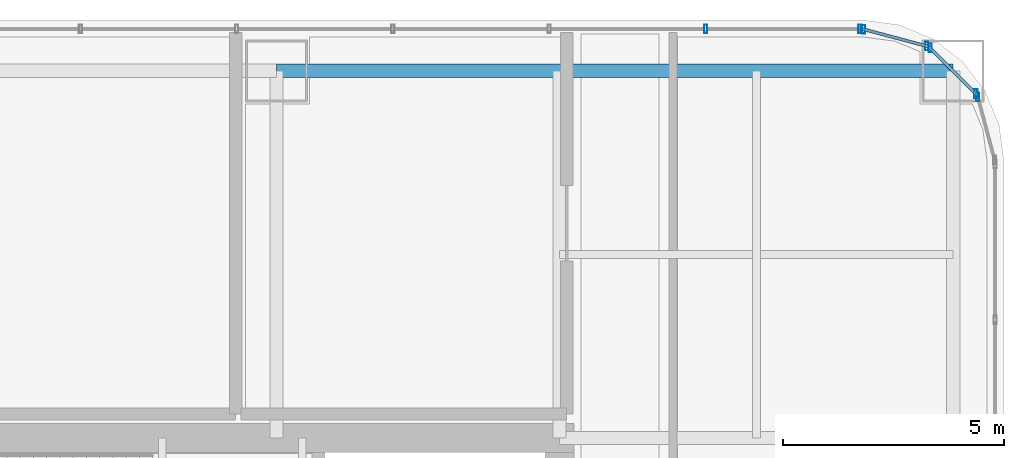
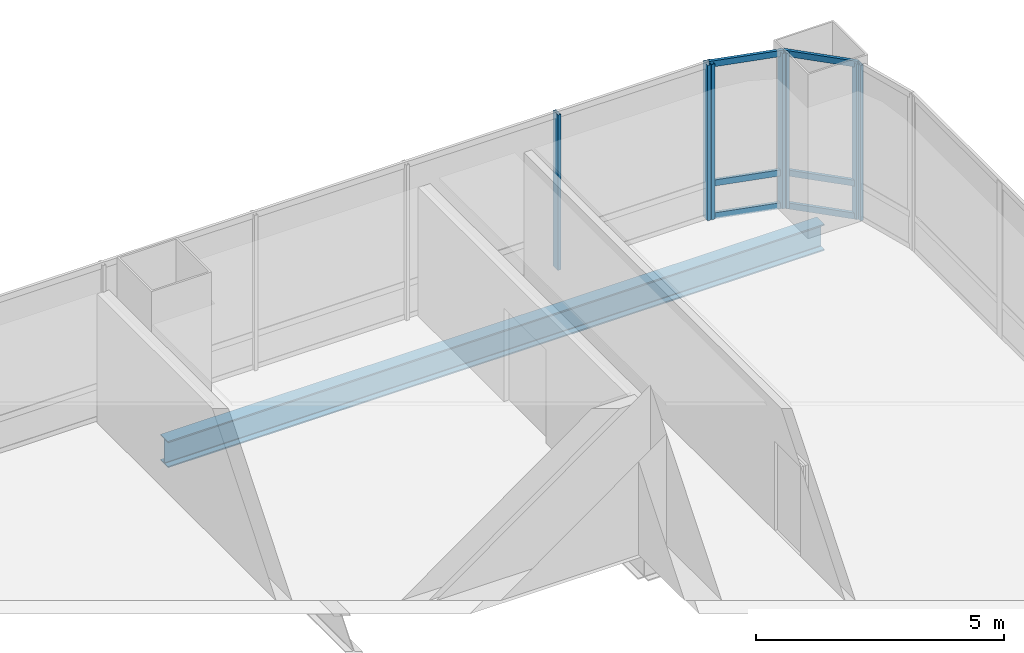
# One storey, part 26 of 36: 13 members, 1 beam, 4 elements without a shape of their own.
"""IFC4 building model written with IfcOpenShell, lengths in metres."""

from ifc_helpers import new_model, si_unit, direction, frame, origin, origin_2d, place, context, subcontext, project, spatial, hollow_rectangle, i_section, extrude, material, material_profile, profile_set, type_object, element, aggregate, save


model = new_model("IFC4")

# Units and contexts
model_context = context("Model", 3, precision=1e-05, world=origin(), true_north=direction((0.0, 1.0)))
body_context = subcontext(model_context, "Body", "Model", "MODEL_VIEW")
ifc_project = project(units=[si_unit("LENGTHUNIT", "METRE"), si_unit("AREAUNIT", "SQUARE_METRE"), si_unit("VOLUMEUNIT", "CUBIC_METRE"), si_unit("PLANEANGLEUNIT", "RADIAN"), si_unit("MASSUNIT", "GRAM", prefix="KILO")], contexts=[model_context])

# Site, building, storey
site_placement = place(None, origin())
site = spatial("IfcSite", under=ifc_project, at=site_placement, CompositionType="ELEMENT")
building_placement = place(site_placement, origin())
building = spatial("IfcBuilding", under=site, at=building_placement, Name="Punatoya Terracotta Tower", CompositionType="ELEMENT")
storey_placement = place(building_placement, frame((0.0, 0.0, 196.5)))
storey = spatial("IfcBuildingStorey", under=building, at=storey_placement, Name="L46", CompositionType="ELEMENT", Elevation=196.5)

# Beam
ifc_material_1 = material(Name="Steel S355", Category="steel")
ifc_material_profile_1 = material_profile(ifc_material_1, i_section(OverallWidth=0.300048828125, OverallDepth=0.64990234375, WebThickness=0.01611328125, FlangeThickness=0.031005859375, FilletRadius=0.01806640625, at=origin_2d()))
ifc_profile_set_1 = profile_set([ifc_material_profile_1], Name="Steel S355")
beam_type = type_object("IfcBeamType", Name="BM-PRI-650", PredefinedType="BEAM", material=ifc_profile_set_1)
beam_placement = place(storey_placement, frame((3.800048828125, 17.5, -0.544921875), z_axis=(1.0, 0.0, 0.0), x_axis=(0.0, 1.0, 0.0)))
element("IfcBeam", 1, at=beam_placement, inside=storey, type_object=beam_type, Name="BM-L46-RG-N3", PredefinedType="BEAM", context=body_context, shape_type="SweptSolid", body=[
    extrude(i_section(OverallWidth=0.300048828125, OverallDepth=0.64990234375, WebThickness=0.01611328125, FlangeThickness=0.031005859375, FilletRadius=0.01806640625, at=origin_2d()), origin(), (0.0, 0.0, 1.0), 15.300048828125),
])

# Curtain wall, member
ifc_material_2 = material(Name="Aluminium 6063-T6 + Double Low-E Glass", Category="aluminium")
curtain_wall_type = type_object("IfcCurtainWallType", Name="CW-M2", PredefinedType="NOTDEFINED", material=ifc_material_2)
curtain_wall_1_placement = place(storey_placement, origin())
curtain_wall_1 = element("IfcCurtainWall", 2, at=curtain_wall_1_placement, inside=storey, type_object=curtain_wall_type, Name="L46 Curtain Wall CW-L46-CRN06", PredefinedType="NOTDEFINED")
ifc_material_3 = material(Name="Aluminium 6063-T6", Category="aluminium")
ifc_material_profile_2 = material_profile(ifc_material_3, hollow_rectangle(XDim=0.072021484375, YDim=0.195068359375, WallThickness=0.00439453125, at=origin_2d()))
ifc_profile_set_2 = profile_set([ifc_material_profile_2], Name="Aluminium 6063-T6")
member_type_1 = type_object("IfcMemberType", Name="CW-MUL-M2", PredefinedType="MULLION", material=ifc_profile_set_2)
member_1_placement = place(storey_placement, frame((19.658203125, 16.905517578125, 0.0), z_axis=(0.0, 0.0, 1.0), x_axis=(1.0, 0.0, 0.0)))
member_1 = element("IfcMember", 3, at=member_1_placement, type_object=member_type_1, Name="CW-L46-CRN06 Mullion 01", PredefinedType="MULLION", context=body_context, shape_type="SweptSolid", body=[
    extrude(hollow_rectangle(XDim=0.072021484375, YDim=0.195068359375, WallThickness=0.00439453125, at=origin_2d()), origin(), (0.0, 0.0, 1.0), 3.830078125),
])
aggregate(curtain_wall_1, [member_1])

# Curtain wall, members
curtain_wall_2_placement = place(storey_placement, origin())
curtain_wall_2 = element("IfcCurtainWall", 4, at=curtain_wall_2_placement, inside=storey, type_object=curtain_wall_type, Name="L46 Curtain Wall CW-L46-CRN07", PredefinedType="NOTDEFINED")
member_2_placement = place(storey_placement, frame((19.61474609375, 16.98095703125, 0.0), z_axis=(0.0, 0.0, 1.0), x_axis=(1.0, 0.0, 0.0)))
member_2 = element("IfcMember", 5, at=member_2_placement, type_object=member_type_1, Name="CW-L46-CRN07 Mullion 00", PredefinedType="MULLION", context=body_context, shape_type="SweptSolid", body=[
    extrude(hollow_rectangle(XDim=0.072021484375, YDim=0.195068359375, WallThickness=0.00439453125, at=origin_2d()), origin(), (0.0, 0.0, 1.0), 3.830078125),
])
member_3_placement = place(storey_placement, frame((18.580810546875, 18.014892578125, 0.0), z_axis=(0.0, 0.0, 1.0), x_axis=(1.0, 0.0, 0.0)))
member_3 = element("IfcMember", 6, at=member_3_placement, type_object=member_type_1, Name="CW-L46-CRN07 Mullion 01", PredefinedType="MULLION", context=body_context, shape_type="SweptSolid", body=[
    extrude(hollow_rectangle(XDim=0.072021484375, YDim=0.195068359375, WallThickness=0.00439453125, at=origin_2d()), origin(), (0.0, 0.0, 1.0), 3.830078125),
])

curtain_wall_3_placement = place(storey_placement, origin())
curtain_wall_3 = element("IfcCurtainWall", 7, at=curtain_wall_3_placement, inside=storey, type_object=curtain_wall_type, Name="L46 Curtain Wall CW-L46-CRN08", PredefinedType="NOTDEFINED")
member_4_placement = place(storey_placement, frame((18.505615234375, 18.05810546875, 0.0), z_axis=(0.0, 0.0, 1.0), x_axis=(1.0, 0.0, 0.0)))
member_4 = element("IfcMember", 8, at=member_4_placement, type_object=member_type_1, Name="CW-L46-CRN08 Mullion 00", PredefinedType="MULLION", context=body_context, shape_type="SweptSolid", body=[
    extrude(hollow_rectangle(XDim=0.072021484375, YDim=0.195068359375, WallThickness=0.00439453125, at=origin_2d()), origin(), (0.0, 0.0, 1.0), 3.830078125),
])
member_5_placement = place(storey_placement, frame((17.080322265625, 18.4384765625, 0.0), z_axis=(0.0, 0.0, 1.0), x_axis=(1.0, 0.0, 0.0)))
member_5 = element("IfcMember", 9, at=member_5_placement, type_object=member_type_1, Name="CW-L46-CRN08 Mullion 01", PredefinedType="MULLION", context=body_context, shape_type="SweptSolid", body=[
    extrude(hollow_rectangle(XDim=0.072021484375, YDim=0.195068359375, WallThickness=0.00439453125, at=origin_2d()), origin(), (0.0, 0.0, 1.0), 3.830078125),
])

curtain_wall_4_placement = place(storey_placement, origin())
curtain_wall_4 = element("IfcCurtainWall", 10, at=curtain_wall_4_placement, inside=storey, type_object=curtain_wall_type, Name="L46 Curtain Wall CW-L46-N09-1", PredefinedType="NOTDEFINED")
member_6_placement = place(storey_placement, frame((16.991943359375, 18.449951171875, 0.0), z_axis=(0.0, 0.0, 1.0), x_axis=(1.0, 0.0, 0.0)))
member_6 = element("IfcMember", 11, at=member_6_placement, type_object=member_type_1, Name="CW-L46-N09-1 Mullion 00", PredefinedType="MULLION", context=body_context, shape_type="SweptSolid", body=[
    extrude(hollow_rectangle(XDim=0.072021484375, YDim=0.195068359375, WallThickness=0.00439453125, at=origin_2d()), origin(), (0.0, 0.0, 1.0), 3.830078125),
])
member_7_placement = place(storey_placement, frame((13.5029296875, 18.449951171875, 0.0), z_axis=(0.0, 0.0, 1.0), x_axis=(1.0, 0.0, 0.0)))
member_7 = element("IfcMember", 12, at=member_7_placement, type_object=member_type_1, Name="CW-L46-N09-1 Mullion 01", PredefinedType="MULLION", context=body_context, shape_type="SweptSolid", body=[
    extrude(hollow_rectangle(XDim=0.072021484375, YDim=0.195068359375, WallThickness=0.00439453125, at=origin_2d()), origin(), (0.0, 0.0, 1.0), 3.830078125),
])
aggregate(curtain_wall_4, [member_6, member_7])

# Member
ifc_material_profile_3 = material_profile(ifc_material_3, hollow_rectangle(XDim=0.068115234375, YDim=0.14990234375, WallThickness=0.00390625, at=origin_2d()))
ifc_profile_set_3 = profile_set([ifc_material_profile_3], Name="Aluminium 6063-T6")
member_type_2 = type_object("IfcMemberType", Name="CW-TRN-TYP", PredefinedType="USERDEFINED", material=ifc_profile_set_3)
member_8_placement = place(storey_placement, frame((19.646484375, 16.94921875, 0.0400390625), z_axis=(-0.707106781187, 0.707106781187, 0.0), x_axis=(-0.707106781187, -0.707106781187, 0.0)))
member_8 = element("IfcMember", 13, at=member_8_placement, type_object=member_type_2, Name="CW-L46-CRN07 Transom 1", ObjectType="TRANSOM", PredefinedType="USERDEFINED", context=body_context, shape_type="SweptSolid", body=[
    extrude(hollow_rectangle(XDim=0.068115234375, YDim=0.14990234375, WallThickness=0.00390625, at=origin_2d()), origin(), (0.0, 0.0, 1.0), 1.552001953125),
])

member_9_placement = place(storey_placement, frame((19.646484375, 16.94921875, 0.85009765625), z_axis=(-0.707106781187, 0.707106781187, 0.0), x_axis=(-0.707106781187, -0.707106781187, 0.0)))
member_9 = element("IfcMember", 14, at=member_9_placement, type_object=member_type_2, Name="CW-L46-CRN07 Transom 2", ObjectType="TRANSOM", PredefinedType="USERDEFINED", context=body_context, shape_type="SweptSolid", body=[
    extrude(hollow_rectangle(XDim=0.068115234375, YDim=0.14990234375, WallThickness=0.00390625, at=origin_2d()), origin(), (0.0, 0.0, 1.0), 1.552001953125),
])

member_10_placement = place(storey_placement, frame((19.646484375, 16.94921875, 3.7900390625), z_axis=(-0.707106781187, 0.707106781187, 0.0), x_axis=(-0.707106781187, -0.707106781187, 0.0)))
member_10 = element("IfcMember", 15, at=member_10_placement, type_object=member_type_2, Name="CW-L46-CRN07 Transom 3", ObjectType="TRANSOM", PredefinedType="USERDEFINED", context=body_context, shape_type="SweptSolid", body=[
    extrude(hollow_rectangle(XDim=0.068115234375, YDim=0.14990234375, WallThickness=0.00390625, at=origin_2d()), origin(), (0.0, 0.0, 1.0), 1.552001953125),
])

aggregate(curtain_wall_2, [member_2, member_3, member_8, member_9, member_10])

member_11_placement = place(storey_placement, frame((18.549072265625, 18.046630859375, 0.0400390625), z_axis=(-0.966224582397, 0.257701486942, 0.0), x_axis=(-0.257701486942, -0.966224582397, 0.0)))
member_11 = element("IfcMember", 16, at=member_11_placement, type_object=member_type_2, Name="CW-L46-CRN08 Transom 1", ObjectType="TRANSOM", PredefinedType="USERDEFINED", context=body_context, shape_type="SweptSolid", body=[
    extrude(hollow_rectangle(XDim=0.068115234375, YDim=0.14990234375, WallThickness=0.00390625, at=origin_2d()), origin(), (0.0, 0.0, 1.0), 1.565185546875),
])

member_12_placement = place(storey_placement, frame((18.549072265625, 18.046630859375, 0.85009765625), z_axis=(-0.966224582397, 0.257701486942, 0.0), x_axis=(-0.257701486942, -0.966224582397, 0.0)))
member_12 = element("IfcMember", 17, at=member_12_placement, type_object=member_type_2, Name="CW-L46-CRN08 Transom 2", ObjectType="TRANSOM", PredefinedType="USERDEFINED", context=body_context, shape_type="SweptSolid", body=[
    extrude(hollow_rectangle(XDim=0.068115234375, YDim=0.14990234375, WallThickness=0.00390625, at=origin_2d()), origin(), (0.0, 0.0, 1.0), 1.565185546875),
])

member_13_placement = place(storey_placement, frame((18.549072265625, 18.046630859375, 3.7900390625), z_axis=(-0.966224582397, 0.257701486942, 0.0), x_axis=(-0.257701486942, -0.966224582397, 0.0)))
member_13 = element("IfcMember", 18, at=member_13_placement, type_object=member_type_2, Name="CW-L46-CRN08 Transom 3", ObjectType="TRANSOM", PredefinedType="USERDEFINED", context=body_context, shape_type="SweptSolid", body=[
    extrude(hollow_rectangle(XDim=0.068115234375, YDim=0.14990234375, WallThickness=0.00390625, at=origin_2d()), origin(), (0.0, 0.0, 1.0), 1.565185546875),
])

aggregate(curtain_wall_3, [member_4, member_5, member_11, member_12, member_13])

save(model, "model.ifc")
